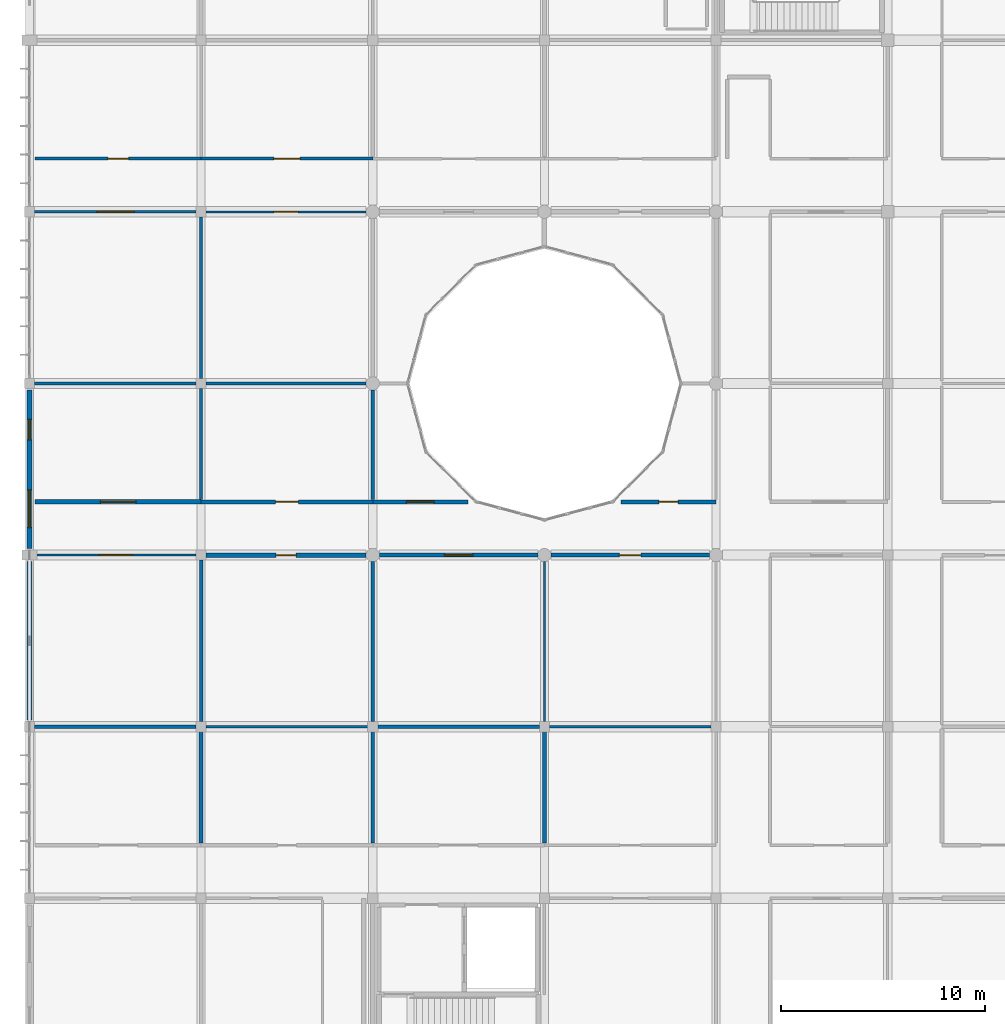
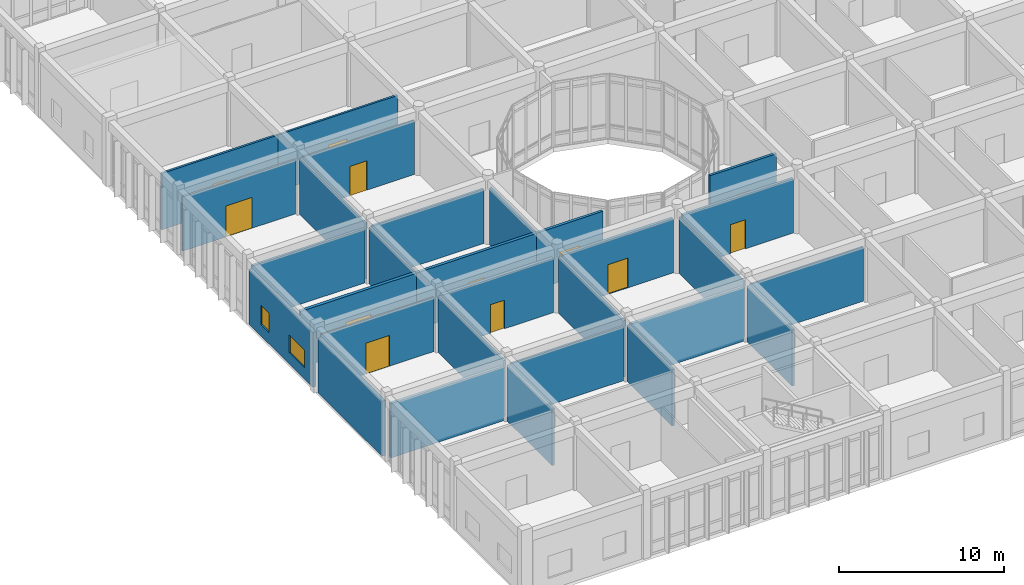
# One storey, part 96 of 134: 29 walls, 12 doors, 2 windows, 14 openings.
"""IFC4 building model written with IfcOpenShell, lengths in metres."""

import ifcopenshell
import ifcopenshell.guid

model = None  # the IFC model being written
_history = None  # IfcOwnerHistory: only IFC2X3 demands one
_inside = {}  # id of a spatial element -> (the spatial element, [elements in it])
_under = {}  # id of a project, library or spatial element -> (it, [spatial elements below it])
_declared = {}  # id of a project -> (the project, [libraries it declares])
_typed = {}  # id of a type object -> (the type object, [elements of that type])
_made_of = {}  # id of a material, layer set ... -> (it, [elements and type objects made of it])


def new_model(schema):
    """Start an empty IFC model of exactly this schema.

    Asked for "IFC4X3", IfcOpenShell would pick the latest addendum, in which some entities
    have other attributes; the version numbers below select the first issue.
    IFC2X3 requires an IfcOwnerHistory on every rooted entity: one is made here for all.
    """
    global model, _history
    if schema == "IFC4X3":
        model = ifcopenshell.file(schema_version=(4, 3, 0, 0))
    else:
        model = ifcopenshell.file(schema=schema)
    _inside.clear()
    _under.clear()
    _declared.clear()
    _typed.clear()
    _made_of.clear()
    _history = None
    if model.schema == "IFC2X3":
        org = make("IfcOrganization", Name="unknown")
        user = make(
            "IfcPersonAndOrganization",
            ThePerson=make("IfcPerson", FamilyName="unknown"),
            TheOrganization=org,
        )
        app = make(
            "IfcApplication",
            ApplicationDeveloper=org,
            Version="unknown",
            ApplicationFullName="unknown",
            ApplicationIdentifier="unknown",
        )
        _history = make(
            "IfcOwnerHistory",
            OwningUser=user,
            OwningApplication=app,
            ChangeAction="ADDED",
            CreationDate=0,
        )
    return model


def make(cls, **values):
    """One entity of the class cls with the attributes given. An attribute that is None is left unset."""
    return model.create_entity(
        cls, **{name: value for name, value in values.items() if value is not None}
    )


def rooted(cls, **values):
    """An entity with a GlobalId (a new one), such as an element, a storey or a relation."""
    return make(cls, GlobalId=ifcopenshell.guid.new(), OwnerHistory=_history, **values)


def si_unit(unit_type, name, prefix=None):
    """IfcSIUnit, for example si_unit("LENGTHUNIT", "METRE", prefix="MILLI")."""
    return make("IfcSIUnit", UnitType=unit_type, Prefix=prefix, Name=name)


def assignment(units):
    """IfcUnitAssignment: the units of a project."""
    return None if units is None else make("IfcUnitAssignment", Units=units)


def point(xyz):
    """IfcCartesianPoint."""
    return None if xyz is None else make("IfcCartesianPoint", Coordinates=xyz)


def direction(xyz):
    """IfcDirection."""
    return None if xyz is None else make("IfcDirection", DirectionRatios=xyz)


def frame(location, z_axis=None, x_axis=None):
    """IfcAxis2Placement3D, a coordinate frame: its origin and axes. An axis left out is left unset."""
    return make(
        "IfcAxis2Placement3D",
        Location=point(location),
        Axis=direction(z_axis),
        RefDirection=direction(x_axis),
    )


def frame_2d(location, x_axis=None):
    """IfcAxis2Placement2D, a coordinate frame in the plane: its origin and x axis."""
    return make(
        "IfcAxis2Placement2D", Location=point(location), RefDirection=direction(x_axis)
    )


def origin():
    """The frame at (0, 0, 0) with its axes left unset."""
    return frame((0.0, 0.0, 0.0))


def place(relative_to, where):
    """IfcLocalPlacement: puts the frame where relative to a parent placement (None: the world)."""
    return make(
        "IfcLocalPlacement", PlacementRelTo=relative_to, RelativePlacement=where
    )


def context(
    kind, dimensions, precision=None, world=None, true_north=None, identifier=None
):
    """IfcGeometricRepresentationContext, for example the 3D "Model" context."""
    return make(
        "IfcGeometricRepresentationContext",
        ContextIdentifier=identifier,
        ContextType=kind,
        CoordinateSpaceDimension=dimensions,
        Precision=precision,
        WorldCoordinateSystem=world,
        TrueNorth=true_north,
    )


def subcontext(parent, identifier, kind, view, scale=None):
    """IfcGeometricRepresentationSubContext, for example "Body" below "Model"."""
    return make(
        "IfcGeometricRepresentationSubContext",
        ContextIdentifier=identifier,
        ContextType=kind,
        ParentContext=parent,
        TargetScale=scale,
        TargetView=view,
    )


def project(units=None, contexts=None):
    """IfcProject with its units and contexts."""
    return rooted(
        "IfcProject",
        Name="project",
        RepresentationContexts=contexts,
        UnitsInContext=assignment(units),
    )


def spatial(cls, under=None, at=None, **own):
    """A site, building, storey or space (cls), placed at a placement, below another one or the project."""
    s = rooted(cls, ObjectPlacement=at, **own)
    if under is not None:
        _under.setdefault(under.id(), (under, []))[1].append(s)
    return s


def profile(cls, at=None, kind="AREA", **sizes):
    """A parametric profile (cls). Its sizes go by their IFC names, for example OverallWidth=200.0."""
    return make(cls, ProfileType=kind, Position=at, **sizes)


def rectangle(**sizes):
    """IfcRectangleProfileDef."""
    return profile("IfcRectangleProfileDef", **sizes)


def extrude(swept, where, along, depth):
    """IfcExtrudedAreaSolid: the profile swept, set in the frame where, extruded along a direction by depth."""
    return make(
        "IfcExtrudedAreaSolid",
        SweptArea=swept,
        Position=where,
        ExtrudedDirection=direction(along),
        Depth=depth,
    )


def shape(context_of_items, identifier, shape_type, items):
    """IfcShapeRepresentation: the items that make up one representation, for example the "Body"."""
    return make(
        "IfcShapeRepresentation",
        ContextOfItems=context_of_items,
        RepresentationIdentifier=identifier,
        RepresentationType=shape_type,
        Items=items,
    )


def material(Name=None, Category=None):
    """IfcMaterial."""
    return make("IfcMaterial", Name=Name, Category=Category)


def layer(
    of_material, thickness, ventilated=None, Name=None, Category=None, Priority=None
):
    """IfcMaterialLayer: one layer of a wall or slab, of a material (None: an air gap)."""
    return make(
        "IfcMaterialLayer",
        Material=of_material,
        LayerThickness=thickness,
        IsVentilated=ventilated,
        Name=Name,
        Category=Category,
        Priority=Priority,
    )


def layer_set(layers, Name=None):
    """IfcMaterialLayerSet."""
    return make("IfcMaterialLayerSet", MaterialLayers=layers, LayerSetName=Name)


def made_of(thing, what):
    """Note that an element or type object is made of a material, layer set ...; save() writes the relation."""
    if what is not None:
        _made_of.setdefault(what.id(), (what, []))[1].append(thing)
    return thing


def type_object(cls, material=None, **own):
    """A type object (cls), such as IfcWallType, which elements share."""
    return made_of(rooted(cls, **own), material)


def element(
    cls,
    number,
    at=None,
    inside=None,
    cuts=None,
    type_object=None,
    material=None,
    context=None,
    identifier="Body",
    shape_type=None,
    held_by="IfcProductDefinitionShape",
    body=None,
    shapes=None,
    **own,
):
    """One element of the class cls, such as IfcWall. Its Tag is "e" and its number.

    at: its placement. inside: the storey or other place that contains it. cuts: it is an
    opening in that element (IfcRelVoidsElement). A single representation is given by context,
    identifier, shape_type and body (its items); several are given by shapes. held_by: the class
    of the entity that holds the representations. save() writes the other relations.
    """
    e = rooted(cls, Tag="e%d" % number, ObjectPlacement=at, **own)
    if body is not None:
        shapes = [shape(context, identifier, shape_type, body)]
    if shapes is not None:
        e.Representation = make(held_by, Representations=shapes)
    if inside is not None:
        _inside.setdefault(inside.id(), (inside, []))[1].append(e)
    if cuts is not None:
        rooted(
            "IfcRelVoidsElement", RelatingBuildingElement=cuts, RelatedOpeningElement=e
        )
    if type_object is not None:
        _typed.setdefault(type_object.id(), (type_object, []))[1].append(e)
    return made_of(e, material)


def fill(opening, filler):
    """IfcRelFillsElement: the door or window that sits in an opening."""
    return rooted(
        "IfcRelFillsElement",
        RelatingOpeningElement=opening,
        RelatedBuildingElement=filler,
    )


def aggregate(whole, parts):
    """IfcRelAggregates: a whole, such as a stair, and the parts it consists of."""
    return rooted("IfcRelAggregates", RelatingObject=whole, RelatedObjects=parts)


def save(model, path):
    """Write the relations noted so far, then the file.

    IfcRelAggregates (storeys below a building ...), IfcRelContainedInSpatialStructure (elements
    in a storey), IfcRelDefinesByType, IfcRelAssociatesMaterial and IfcRelDeclares: one each for
    every whole, place, type object, material and project.
    """
    for whole, parts in _under.values():
        aggregate(whole, parts)
    for where, things in _inside.values():
        rooted(
            "IfcRelContainedInSpatialStructure",
            RelatedElements=things,
            RelatingStructure=where,
        )
    for kind, things in _typed.values():
        rooted("IfcRelDefinesByType", RelatedObjects=things, RelatingType=kind)
    for what, things in _made_of.values():
        rooted("IfcRelAssociatesMaterial", RelatedObjects=things, RelatingMaterial=what)
    for by, libraries in _declared.values():
        rooted("IfcRelDeclares", RelatingContext=by, RelatedDefinitions=libraries)
    model.write(path)


model = new_model("IFC4")

# Units and contexts
model_context = context("Model", 3, precision=1e-05, world=origin(), true_north=direction((0.0, 1.0)))
body_context = subcontext(model_context, "Body", "Model", "MODEL_VIEW")
ifc_project = project(units=[si_unit("LENGTHUNIT", "METRE"), si_unit("AREAUNIT", "SQUARE_METRE"), si_unit("VOLUMEUNIT", "CUBIC_METRE"), si_unit("PLANEANGLEUNIT", "RADIAN"), si_unit("MASSUNIT", "GRAM", prefix="KILO")], contexts=[model_context])

# Site, building, storey
site_placement = place(None, origin())
site = spatial("IfcSite", under=ifc_project, at=site_placement, CompositionType="ELEMENT")
building_placement = place(site_placement, origin())
building = spatial("IfcBuilding", under=site, at=building_placement, Name="Bramfleet General Hospital", CompositionType="ELEMENT")
storey_placement = place(building_placement, frame((0.0, 0.0, 9.300048828125)))
storey = spatial("IfcBuildingStorey", under=building, at=storey_placement, Name="L02", CompositionType="ELEMENT", Elevation=9.300048828125)

# Wall
ifc_material_1 = material(Name="Precast concrete C40/50", Category="concrete")
ifc_layer_1 = layer(ifc_material_1, 0.25, Name="WT-EW-08")
ifc_layer_set_1 = layer_set([ifc_layer_1], Name="Precast concrete C40/50")
wall_type_1 = type_object("IfcWallType", Name="WT-EW-08", PredefinedType="SOLIDWALL", material=ifc_layer_set_1)
wall_1_placement = place(storey_placement, frame((0.0, 67.52490234375, 0.0), z_axis=(0.0, 0.0, 1.0), x_axis=(0.0, 1.0, 0.0)))
element("IfcWall", 1, at=wall_1_placement, inside=storey, type_object=wall_type_1, Name="L02 Exterior Wall 195", PredefinedType="SOLIDWALL", context=body_context, shape_type="SweptSolid", body=[
    extrude(rectangle(XDim=7.75, YDim=0.25, at=frame_2d((3.875, 0.0))), origin(), (0.0, 0.0, 1.0), 4.070068359375),
])

# Wall, openings, windows
ifc_layer_2 = layer(ifc_material_1, 0.235107421875, Name="WT-EW-09")
ifc_layer_set_2 = layer_set([ifc_layer_2], Name="Precast concrete C40/50")
wall_type_2 = type_object("IfcWallType", Name="WT-EW-09", PredefinedType="SOLIDWALL", material=ifc_layer_set_2)
wall_2_placement = place(storey_placement, frame((0.0, 75.925048828125, 0.0), z_axis=(0.0, 0.0, 1.0), x_axis=(0.0, 1.0, 0.0)))
wall_2 = element("IfcWall", 2, at=wall_2_placement, inside=storey, type_object=wall_type_2, Name="L02 Exterior Wall 196", PredefinedType="SOLIDWALL", context=body_context, shape_type="SweptSolid", body=[
    extrude(rectangle(XDim=7.75, YDim=0.235107421875, at=frame_2d((3.875, 0.0))), origin(), (0.0, 0.0, 1.0), 4.070068359375),
])
opening_1_placement = place(wall_2_placement, frame((1.012451171875, 0.0, 0.85009765625)))
opening_1 = element("IfcOpeningElement", 3, at=opening_1_placement, cuts=wall_2, Name="Opening W-10", PredefinedType="OPENING", context=body_context, shape_type="SweptSolid", body=[
    extrude(rectangle(XDim=1.85009765625, YDim=1.300048828125, at=frame_2d((0.925048828125, 0.64990234375))), frame((0.0, 0.12744140625, 0.0), z_axis=(0.0, -1.0, 0.0), x_axis=(1.0, 0.0, 0.0)), (0.0, 0.0, 1.0), 0.255126953125),
])
opening_2_placement = place(wall_2_placement, frame((5.3125, 0.0, 0.85009765625)))
opening_2 = element("IfcOpeningElement", 4, at=opening_2_placement, cuts=wall_2, Name="Opening W-11", PredefinedType="OPENING", context=body_context, shape_type="SweptSolid", body=[
    extrude(rectangle(XDim=1.0, YDim=1.419921875, at=frame_2d((0.5, 0.7099609375))), frame((0.0, 0.12744140625, 0.0), z_axis=(0.0, -1.0, 0.0), x_axis=(1.0, 0.0, 0.0)), (0.0, 0.0, 1.0), 0.255126953125),
])
ifc_material_2 = material(Name="Anodised aluminium and low-E triple glazing", Category="aluminium")
window_type_1 = type_object("IfcWindowType", Name="WIN-W-10", PartitioningType="SINGLE_PANEL", PredefinedType="WINDOW", material=ifc_material_2)
window_1_placement = place(opening_1_placement, origin())
window_1 = element("IfcWindow", 5, at=window_1_placement, inside=storey, type_object=window_type_1, Name="L02 Facade Window WIN-L02-196-1", OverallHeight=1.300048828125, OverallWidth=1.85009765625, PartitioningType="SINGLE_PANEL", PredefinedType="WINDOW", context=body_context, shape_type="SweptSolid", body=[
    extrude(rectangle(XDim=1.85009765625, YDim=1.300048828125, at=frame_2d((0.925048828125, 0.64990234375))), frame((0.0, 0.030029296875, 0.0), z_axis=(0.0, -1.0, 0.0), x_axis=(1.0, 0.0, 0.0)), (0.0, 0.0, 1.0), 0.06005859375),
])
fill(opening_1, window_1)
window_type_2 = type_object("IfcWindowType", Name="WIN-W-11", PartitioningType="SINGLE_PANEL", PredefinedType="WINDOW", material=ifc_material_2)
window_2_placement = place(opening_2_placement, origin())
window_2 = element("IfcWindow", 6, at=window_2_placement, inside=storey, type_object=window_type_2, Name="L02 Facade Window WIN-L02-196-2", OverallHeight=1.419921875, OverallWidth=1.0, PartitioningType="SINGLE_PANEL", PredefinedType="WINDOW", context=body_context, shape_type="SweptSolid", body=[
    extrude(rectangle(XDim=1.0, YDim=1.419921875, at=frame_2d((0.5, 0.7099609375))), frame((0.0, 0.030029296875, 0.0), z_axis=(0.0, -1.0, 0.0), x_axis=(1.0, 0.0, 0.0)), (0.0, 0.0, 1.0), 0.06005859375),
])
fill(opening_2, window_2)

# Wall, opening, door
ifc_material_3 = material(Name="Concrete C35/45", Category="concrete")
ifc_layer_3 = layer(ifc_material_3, 0.219970703125, Name="WT-IW-01")
ifc_layer_set_3 = layer_set([ifc_layer_3], Name="Concrete C35/45")
wall_type_3 = type_object("IfcWallType", Name="WT-IW-01", PredefinedType="PARTITIONING", material=ifc_layer_set_3)
wall_3_placement = place(storey_placement, frame((8.64501953125, 75.60009765625, 0.0), z_axis=(0.0, 0.0, 1.0), x_axis=(1.0, 0.0, 0.0)))
wall_3 = element("IfcWall", 7, at=wall_3_placement, inside=storey, type_object=wall_type_3, Name="L02 Interior Partition IW-L02-2017", PredefinedType="PARTITIONING", context=body_context, shape_type="SweptSolid", body=[
    extrude(rectangle(XDim=7.8349609375, YDim=0.219970703125, at=frame_2d((3.91748046875, 0.0))), origin(), (0.0, 0.0, 1.0), 4.02001953125),
])
opening_3_placement = place(wall_3_placement, frame((3.427490234375, 0.0, 0.0)))
opening_3 = element("IfcOpeningElement", 8, at=opening_3_placement, cuts=wall_3, Name="Opening D0858", PredefinedType="OPENING", context=body_context, shape_type="SweptSolid", body=[
    extrude(rectangle(XDim=0.97998046875, YDim=2.1201171875, at=frame_2d((0.489990234375, 1.06005859375))), frame((0.0, 0.119873046875, 0.0), z_axis=(0.0, -1.0, 0.0), x_axis=(1.0, 0.0, 0.0)), (0.0, 0.0, 1.0), 0.239990234375),
])
ifc_material_4 = material(Name="Stainless steel and acoustic timber leaf", Category="steel")
door_type_1 = type_object("IfcDoorType", Name="DR-D-26", OperationType="NOTDEFINED", PredefinedType="DOOR", material=ifc_material_4)
door_1_placement = place(opening_3_placement, origin())
door_1 = element("IfcDoor", 9, at=door_1_placement, inside=storey, type_object=door_type_1, Name="Post-Anaesthesia Recovery Ward Bay L02-0108 Door D0858", OperationType="SINGLE_SWING_LEFT", OverallHeight=2.1201171875, OverallWidth=0.97998046875, PredefinedType="DOOR", context=body_context, shape_type="SweptSolid", body=[
    extrude(rectangle(XDim=0.97998046875, YDim=2.1201171875, at=frame_2d((0.489990234375, 1.06005859375))), frame((0.0, 0.02490234375, 0.0), z_axis=(0.0, -1.0, 0.0), x_axis=(1.0, 0.0, 0.0)), (0.0, 0.0, 1.0), 0.050048828125),
])
fill(opening_3, door_1)

wall_4_placement = place(storey_placement, frame((0.280029296875, 78.199951171875, 0.0), z_axis=(0.0, 0.0, 1.0), x_axis=(1.0, 0.0, 0.0)))
wall_4 = element("IfcWall", 10, at=wall_4_placement, inside=storey, type_object=wall_type_3, Name="L02 Interior Partition IW-L02-2029", PredefinedType="PARTITIONING", context=body_context, shape_type="SweptSolid", body=[
    extrude(rectangle(XDim=8.119873046875, YDim=0.219970703125, at=frame_2d((4.06005859375, 0.0))), origin(), (0.0, 0.0, 1.0), 4.169921875),
])
opening_4_placement = place(wall_4_placement, frame((3.18994140625, 0.0, 0.0)))
opening_4 = element("IfcOpeningElement", 11, at=opening_4_placement, cuts=wall_4, Name="Opening D0851", PredefinedType="OPENING", context=body_context, shape_type="SweptSolid", body=[
    extrude(rectangle(XDim=1.739990234375, YDim=2.239990234375, at=frame_2d((0.8701171875, 1.1201171875))), frame((0.0, 0.119873046875, 0.0), z_axis=(0.0, -1.0, 0.0), x_axis=(1.0, 0.0, 0.0)), (0.0, 0.0, 1.0), 0.239990234375),
])
door_type_2 = type_object("IfcDoorType", Name="DR-D-19", OperationType="NOTDEFINED", PredefinedType="DOOR", material=ifc_material_4)
door_2_placement = place(opening_4_placement, origin())
door_2 = element("IfcDoor", 12, at=door_2_placement, inside=storey, type_object=door_type_2, Name="Post-Anaesthesia Recovery Ward Bay L02-0009 Door D0851", OperationType="DOUBLE_SWING_RIGHT", OverallHeight=2.239990234375, OverallWidth=1.739990234375, PredefinedType="DOOR", context=body_context, shape_type="SweptSolid", body=[
    extrude(rectangle(XDim=1.739990234375, YDim=2.239990234375, at=frame_2d((0.8701171875, 1.1201171875))), frame((0.0, 0.02490234375, 0.0), z_axis=(0.0, -1.0, 0.0), x_axis=(1.0, 0.0, 0.0)), (0.0, 0.0, 1.0), 0.050048828125),
])
fill(opening_4, door_2)

ifc_layer_4 = layer(ifc_material_3, 0.205078125, Name="WT-IW-02")
ifc_layer_set_4 = layer_set([ifc_layer_4], Name="Concrete C35/45")
wall_type_4 = type_object("IfcWallType", Name="WT-IW-02", PredefinedType="PARTITIONING", material=ifc_layer_set_4)
wall_5_placement = place(storey_placement, frame((17.1201171875, 75.60009765625, 0.0), z_axis=(0.0, 0.0, 1.0), x_axis=(1.0, 0.0, 0.0)))
wall_5 = element("IfcWall", 13, at=wall_5_placement, inside=storey, type_object=wall_type_4, Name="L02 Interior Partition IW-L02-2018", PredefinedType="PARTITIONING", context=body_context, shape_type="SweptSolid", body=[
    extrude(rectangle(XDim=7.759765625, YDim=0.205078125, at=frame_2d((3.8798828125, 0.0))), origin(), (0.0, 0.0, 1.0), 4.02001953125),
])
opening_5_placement = place(wall_5_placement, frame((3.179931640625, 0.0, 0.0)))
opening_5 = element("IfcOpeningElement", 14, at=opening_5_placement, cuts=wall_5, Name="Opening D0865", PredefinedType="OPENING", context=body_context, shape_type="SweptSolid", body=[
    extrude(rectangle(XDim=1.39990234375, YDim=2.199951171875, at=frame_2d((0.699951171875, 1.10009765625))), frame((0.0, 0.112548828125, 0.0), z_axis=(0.0, -1.0, 0.0), x_axis=(1.0, 0.0, 0.0)), (0.0, 0.0, 1.0), 0.22509765625),
])
door_type_3 = type_object("IfcDoorType", Name="DR-D-01", OperationType="NOTDEFINED", PredefinedType="DOOR", material=ifc_material_4)
door_3_placement = place(opening_5_placement, origin())
door_3 = element("IfcDoor", 15, at=door_3_placement, inside=storey, type_object=door_type_3, Name="Post-Anaesthesia Recovery Ward Bay L02-0208 Door D0865", OperationType="SINGLE_SWING_RIGHT", OverallHeight=2.199951171875, OverallWidth=1.39990234375, PredefinedType="DOOR", context=body_context, shape_type="SweptSolid", body=[
    extrude(rectangle(XDim=1.39990234375, YDim=2.199951171875, at=frame_2d((0.699951171875, 1.10009765625))), frame((0.0, 0.02490234375, 0.0), z_axis=(0.0, -1.0, 0.0), x_axis=(1.0, 0.0, 0.0)), (0.0, 0.0, 1.0), 0.050048828125),
])
fill(opening_5, door_3)

wall_6_placement = place(storey_placement, frame((8.39990234375, 78.199951171875, 0.0), z_axis=(0.0, 0.0, 1.0), x_axis=(1.0, 0.0, 0.0)))
wall_6 = element("IfcWall", 16, at=wall_6_placement, inside=storey, type_object=wall_type_4, Name="L02 Interior Partition IW-L02-2030", PredefinedType="PARTITIONING", context=body_context, shape_type="SweptSolid", body=[
    extrude(rectangle(XDim=8.400146484375, YDim=0.205078125, at=frame_2d((4.2001953125, 0.0))), origin(), (0.0, 0.0, 1.0), 4.169921875),
])
opening_6_placement = place(wall_6_placement, frame((3.639892578125, 0.0, 0.0)))
opening_6 = element("IfcOpeningElement", 17, at=opening_6_placement, cuts=wall_6, Name="Opening D0859", PredefinedType="OPENING", context=body_context, shape_type="SweptSolid", body=[
    extrude(rectangle(XDim=1.1201171875, YDim=2.179931640625, at=frame_2d((0.56005859375, 1.08984375))), frame((0.0, 0.112548828125, 0.0), z_axis=(0.0, -1.0, 0.0), x_axis=(1.0, 0.0, 0.0)), (0.0, 0.0, 1.0), 0.22509765625),
])
door_type_4 = type_object("IfcDoorType", Name="DR-D-27", OperationType="NOTDEFINED", PredefinedType="DOOR", material=ifc_material_4)
door_4_placement = place(opening_6_placement, origin())
door_4 = element("IfcDoor", 18, at=door_4_placement, inside=storey, type_object=door_type_4, Name="Post-Anaesthesia Recovery Ward Bay L02-0109 Door D0859", OperationType="SINGLE_SWING_RIGHT", OverallHeight=2.179931640625, OverallWidth=1.1201171875, PredefinedType="DOOR", context=body_context, shape_type="SweptSolid", body=[
    extrude(rectangle(XDim=1.1201171875, YDim=2.179931640625, at=frame_2d((0.56005859375, 1.08984375))), frame((0.0, 0.02490234375, 0.0), z_axis=(0.0, -1.0, 0.0), x_axis=(1.0, 0.0, 0.0)), (0.0, 0.0, 1.0), 0.050048828125),
])
fill(opening_6, door_4)

# Walls
ifc_layer_5 = layer(ifc_material_3, 0.18994140625, Name="WT-IW-03")
ifc_layer_set_5 = layer_set([ifc_layer_5], Name="Concrete C35/45")
wall_type_5 = type_object("IfcWallType", Name="WT-IW-03", PredefinedType="PARTITIONING", material=ifc_layer_set_5)
wall_7_placement = place(storey_placement, frame((0.2451171875, 67.199951171875, 0.0), z_axis=(0.0, 0.0, 1.0), x_axis=(1.0, 0.0, 0.0)))
element("IfcWall", 19, at=wall_7_placement, inside=storey, type_object=wall_type_5, Name="L02 Interior Partition IW-L02-2000", PredefinedType="PARTITIONING", context=body_context, shape_type="SweptSolid", body=[
    extrude(rectangle(XDim=7.909912109375, YDim=0.18994140625, at=frame_2d((3.955078125, 0.0))), origin(), (0.0, 0.0, 1.0), 4.02001953125),
])
wall_8_placement = place(storey_placement, frame((17.044921875, 67.199951171875, 0.0), z_axis=(0.0, 0.0, 1.0), x_axis=(1.0, 0.0, 0.0)))
element("IfcWall", 20, at=wall_8_placement, inside=storey, type_object=wall_type_5, Name="L02 Interior Partition IW-L02-2002", PredefinedType="PARTITIONING", context=body_context, shape_type="SweptSolid", body=[
    extrude(rectangle(XDim=7.91015625, YDim=0.18994140625, at=frame_2d((3.955078125, 0.0))), origin(), (0.0, 0.0, 1.0), 4.02001953125),
])

# Wall, opening, door
wall_9_placement = place(storey_placement, frame((25.52001953125, 75.60009765625, 0.0), z_axis=(0.0, 0.0, 1.0), x_axis=(1.0, 0.0, 0.0)))
wall_9 = element("IfcWall", 21, at=wall_9_placement, inside=storey, type_object=wall_type_5, Name="L02 Interior Partition IW-L02-2019", PredefinedType="PARTITIONING", context=body_context, shape_type="SweptSolid", body=[
    extrude(rectangle(XDim=7.760009765625, YDim=0.18994140625, at=frame_2d((3.8798828125, 0.0))), origin(), (0.0, 0.0, 1.0), 4.02001953125),
])
opening_7_placement = place(wall_9_placement, frame((3.35498046875, 0.0, 0.0)))
opening_7 = element("IfcOpeningElement", 22, at=opening_7_placement, cuts=wall_9, Name="Opening D0873", PredefinedType="OPENING", context=body_context, shape_type="SweptSolid", body=[
    extrude(rectangle(XDim=1.050048828125, YDim=2.14990234375, at=frame_2d((0.52490234375, 1.074951171875))), frame((0.0, 0.10498046875, 0.0), z_axis=(0.0, -1.0, 0.0), x_axis=(1.0, 0.0, 0.0)), (0.0, 0.0, 1.0), 0.2099609375),
])
door_type_5 = type_object("IfcDoorType", Name="DR-D-09", OperationType="NOTDEFINED", PredefinedType="DOOR", material=ifc_material_4)
door_5_placement = place(opening_7_placement, origin())
door_5 = element("IfcDoor", 23, at=door_5_placement, inside=storey, type_object=door_type_5, Name="Post-Anaesthesia Recovery Ward Bay L02-0308 Door D0873", OperationType="SINGLE_SWING_RIGHT", OverallHeight=2.14990234375, OverallWidth=1.050048828125, PredefinedType="DOOR", context=body_context, shape_type="SweptSolid", body=[
    extrude(rectangle(XDim=1.050048828125, YDim=2.14990234375, at=frame_2d((0.52490234375, 1.074951171875))), frame((0.0, 0.02490234375, 0.0), z_axis=(0.0, -1.0, 0.0), x_axis=(1.0, 0.0, 0.0)), (0.0, 0.0, 1.0), 0.050048828125),
])
fill(opening_7, door_5)

wall_10_placement = place(storey_placement, frame((16.800048828125, 78.199951171875, 0.0), z_axis=(0.0, 0.0, 1.0), x_axis=(1.0, 0.0, 0.0)))
wall_10 = element("IfcWall", 24, at=wall_10_placement, inside=storey, type_object=wall_type_5, Name="L02 Interior Partition IW-L02-2031", PredefinedType="PARTITIONING", context=body_context, shape_type="SweptSolid", body=[
    extrude(rectangle(XDim=4.65185546875, YDim=0.18994140625, at=frame_2d((2.325927734375, 0.0))), origin(), (0.0, 0.0, 1.0), 4.169921875),
])
opening_8_placement = place(wall_10_placement, frame((1.65087890625, 0.0, 0.0)))
opening_8 = element("IfcOpeningElement", 25, at=opening_8_placement, cuts=wall_10, Name="Opening D0866", PredefinedType="OPENING", context=body_context, shape_type="SweptSolid", body=[
    extrude(rectangle(XDim=1.35009765625, YDim=2.199951171875, at=frame_2d((0.675048828125, 1.10009765625))), frame((0.0, 0.10498046875, 0.0), z_axis=(0.0, -1.0, 0.0), x_axis=(1.0, 0.0, 0.0)), (0.0, 0.0, 1.0), 0.2099609375),
])
door_type_6 = type_object("IfcDoorType", Name="DR-D-02", OperationType="NOTDEFINED", PredefinedType="DOOR", material=ifc_material_4)
door_6_placement = place(opening_8_placement, origin())
door_6 = element("IfcDoor", 26, at=door_6_placement, inside=storey, type_object=door_type_6, Name="Courtyard Waiting Lounge L02-0209 Door D0866", OperationType="SINGLE_SWING_LEFT", OverallHeight=2.199951171875, OverallWidth=1.35009765625, PredefinedType="DOOR", context=body_context, shape_type="SweptSolid", body=[
    extrude(rectangle(XDim=1.35009765625, YDim=2.199951171875, at=frame_2d((0.675048828125, 1.10009765625))), frame((0.0, 0.02490234375, 0.0), z_axis=(0.0, -1.0, 0.0), x_axis=(1.0, 0.0, 0.0)), (0.0, 0.0, 1.0), 0.050048828125),
])
fill(opening_8, door_6)

# Walls
for number, where, z_axis, x_axis, name in (
    (27, (8.39990234375, 61.514892578125, 0.0), (0.0, 0.0, 1.0), (0.0, 1.0, 0.0), "L02 Interior Partition IW-L02-2201"),
    (28, (16.800048828125, 61.514892578125, 0.0), (0.0, 0.0, 1.0), (0.0, 1.0, 0.0), "L02 Interior Partition IW-L02-2211"),
    (29, (25.199951171875, 61.514892578125, 0.0), (0.0, 0.0, 1.0), (0.0, 1.0, 0.0), "L02 Interior Partition IW-L02-2219"),
):
    element("IfcWall", number, at=place(storey_placement, frame(where, z_axis=z_axis, x_axis=x_axis)), inside=storey, type_object=wall_type_5, Name=name, PredefinedType="PARTITIONING", context=body_context, shape_type="SweptSolid", body=[
        extrude(rectangle(XDim=5.440185546875, YDim=0.18994140625, at=frame_2d((2.72021484375, 0.0))), origin(), (0.0, 0.0, 1.0), 4.169921875),
    ])

# Wall, opening, door
ifc_layer_6 = layer(ifc_material_3, 0.179931640625, Name="WT-IW-04")
ifc_layer_set_6 = layer_set([ifc_layer_6], Name="Concrete C35/45")
wall_type_6 = type_object("IfcWallType", Name="WT-IW-04", PredefinedType="PARTITIONING", material=ifc_layer_set_6)
wall_11_placement = place(storey_placement, frame((28.947998046875, 78.199951171875, 0.0), z_axis=(0.0, 0.0, 1.0), x_axis=(1.0, 0.0, 0.0)))
wall_11 = element("IfcWall", 30, at=wall_11_placement, inside=storey, type_object=wall_type_6, Name="L02 Interior Partition IW-L02-2032", PredefinedType="PARTITIONING", context=body_context, shape_type="SweptSolid", body=[
    extrude(rectangle(XDim=4.652099609375, YDim=0.179931640625, at=frame_2d((2.326171875, 0.0))), origin(), (0.0, 0.0, 1.0), 4.169921875),
])
opening_9_placement = place(wall_11_placement, frame((1.85107421875, 0.0, 0.0)))
opening_9 = element("IfcOpeningElement", 31, at=opening_9_placement, cuts=wall_11, Name="Opening D0874", PredefinedType="OPENING", context=body_context, shape_type="SweptSolid", body=[
    extrude(rectangle(XDim=0.949951171875, YDim=2.10009765625, at=frame_2d((0.47509765625, 1.050048828125))), frame((0.0, 0.099853515625, 0.0), z_axis=(0.0, -1.0, 0.0), x_axis=(1.0, 0.0, 0.0)), (0.0, 0.0, 1.0), 0.199951171875),
])
door_type_7 = type_object("IfcDoorType", Name="DR-D-10", OperationType="NOTDEFINED", PredefinedType="DOOR", material=ifc_material_4)
door_7_placement = place(opening_9_placement, origin())
door_7 = element("IfcDoor", 32, at=door_7_placement, inside=storey, type_object=door_type_7, Name="Courtyard Waiting Lounge L02-0309 Door D0874", OperationType="SINGLE_SWING_LEFT", OverallHeight=2.10009765625, OverallWidth=0.949951171875, PredefinedType="DOOR", context=body_context, shape_type="SweptSolid", body=[
    extrude(rectangle(XDim=0.949951171875, YDim=2.10009765625, at=frame_2d((0.47509765625, 1.050048828125))), frame((0.0, 0.02490234375, 0.0), z_axis=(0.0, -1.0, 0.0), x_axis=(1.0, 0.0, 0.0)), (0.0, 0.0, 1.0), 0.050048828125),
])
fill(opening_9, door_7)

# Walls
wall_12_placement = place(storey_placement, frame((16.800048828125, 67.445068359375, 0.0), z_axis=(0.0, 0.0, 1.0), x_axis=(0.0, 1.0, 0.0)))
element("IfcWall", 33, at=wall_12_placement, inside=storey, type_object=wall_type_6, Name="L02 Interior Partition IW-L02-2212", PredefinedType="PARTITIONING", context=body_context, shape_type="SweptSolid", body=[
    extrude(rectangle(XDim=7.8349609375, YDim=0.179931640625, at=frame_2d((3.91748046875, 0.0))), origin(), (0.0, 0.0, 1.0), 4.169921875),
])
ifc_material_5 = material(Name="Gypsum plasterboard on acoustic steel studs", Category="steel")
ifc_layer_7 = layer(ifc_material_5, 0.169921875, Name="WT-IW-05")
ifc_layer_set_7 = layer_set([ifc_layer_7], Name="Gypsum plasterboard on acoustic steel studs")
wall_type_7 = type_object("IfcWallType", Name="WT-IW-05", PredefinedType="PARTITIONING", material=ifc_layer_set_7)
wall_13_placement = place(storey_placement, frame((16.800048828125, 78.31494140625, 0.0), z_axis=(0.0, 0.0, 1.0), x_axis=(0.0, 1.0, 0.0)))
element("IfcWall", 34, at=wall_13_placement, inside=storey, type_object=wall_type_7, Name="L02 Interior Partition IW-L02-2213", PredefinedType="PARTITIONING", context=body_context, shape_type="SweptSolid", body=[
    extrude(rectangle(XDim=5.364990234375, YDim=0.169921875, at=frame_2d((2.6826171875, 0.0))), origin(), (0.0, 0.0, 1.0), 4.169921875),
])
ifc_layer_8 = layer(ifc_material_5, 0.159912109375, Name="WT-IW-06")
ifc_layer_set_8 = layer_set([ifc_layer_8], Name="Gypsum plasterboard on acoustic steel studs")
wall_type_8 = type_object("IfcWallType", Name="WT-IW-06", PredefinedType="PARTITIONING", material=ifc_layer_set_8)
wall_14_placement = place(storey_placement, frame((0.2451171875, 84.0, 0.0), z_axis=(0.0, 0.0, 1.0), x_axis=(1.0, 0.0, 0.0)))
element("IfcWall", 35, at=wall_14_placement, inside=storey, type_object=wall_type_8, Name="L02 Interior Partition IW-L02-2046", PredefinedType="PARTITIONING", context=body_context, shape_type="SweptSolid", body=[
    extrude(rectangle(XDim=7.909912109375, YDim=0.159912109375, at=frame_2d((3.955078125, 0.0))), origin(), (0.0, 0.0, 1.0), 4.02001953125),
])
wall_15_placement = place(storey_placement, frame((8.39990234375, 67.445068359375, 0.0), z_axis=(0.0, 0.0, 1.0), x_axis=(0.0, 1.0, 0.0)))
element("IfcWall", 36, at=wall_15_placement, inside=storey, type_object=wall_type_8, Name="L02 Interior Partition IW-L02-2202", PredefinedType="PARTITIONING", context=body_context, shape_type="SweptSolid", body=[
    extrude(rectangle(XDim=7.909912109375, YDim=0.159912109375, at=frame_2d((3.955078125, 0.0))), origin(), (0.0, 0.0, 1.0), 4.169921875),
])
ifc_layer_9 = layer(ifc_material_5, 0.14990234375, Name="WT-IW-07")
ifc_layer_set_9 = layer_set([ifc_layer_9], Name="Gypsum plasterboard on acoustic steel studs")
wall_type_9 = type_object("IfcWallType", Name="WT-IW-07", PredefinedType="PARTITIONING", material=ifc_layer_set_9)
wall_16_placement = place(storey_placement, frame((8.64501953125, 84.0, 0.0), z_axis=(0.0, 0.0, 1.0), x_axis=(1.0, 0.0, 0.0)))
element("IfcWall", 37, at=wall_16_placement, inside=storey, type_object=wall_type_9, Name="L02 Interior Partition IW-L02-2047", PredefinedType="PARTITIONING", context=body_context, shape_type="SweptSolid", body=[
    extrude(rectangle(XDim=7.8349609375, YDim=0.14990234375, at=frame_2d((3.91748046875, 0.0))), origin(), (0.0, 0.0, 1.0), 4.02001953125),
])

# Wall, opening, door
wall_17_placement = place(storey_placement, frame((0.280029296875, 95.0, 0.0), z_axis=(0.0, 0.0, 1.0), x_axis=(1.0, 0.0, 0.0)))
wall_17 = element("IfcWall", 38, at=wall_17_placement, inside=storey, type_object=wall_type_9, Name="L02 Interior Partition IW-L02-2095", PredefinedType="PARTITIONING", context=body_context, shape_type="SweptSolid", body=[
    extrude(rectangle(XDim=8.119873046875, YDim=0.14990234375, at=frame_2d((4.06005859375, 0.0))), origin(), (0.0, 0.0, 1.0), 4.169921875),
])
opening_10_placement = place(wall_17_placement, frame((3.550048828125, 0.0, 0.0)))
opening_10 = element("IfcOpeningElement", 39, at=opening_10_placement, cuts=wall_17, Name="Opening D0853", PredefinedType="OPENING", context=body_context, shape_type="SweptSolid", body=[
    extrude(rectangle(XDim=1.02001953125, YDim=2.1201171875, at=frame_2d((0.510009765625, 1.06005859375))), frame((0.0, 0.0849609375, 0.0), z_axis=(0.0, -1.0, 0.0), x_axis=(1.0, 0.0, 0.0)), (0.0, 0.0, 1.0), 0.169921875),
])
door_type_8 = type_object("IfcDoorType", Name="DR-D-21", OperationType="NOTDEFINED", PredefinedType="DOOR", material=ifc_material_4)
door_8_placement = place(opening_10_placement, origin())
door_8 = element("IfcDoor", 40, at=door_8_placement, inside=storey, type_object=door_type_8, Name="Post-Anaesthesia Recovery Ward Bay L02-0011 Door D0853", OperationType="SINGLE_SWING_RIGHT", OverallHeight=2.1201171875, OverallWidth=1.02001953125, PredefinedType="DOOR", context=body_context, shape_type="SweptSolid", body=[
    extrude(rectangle(XDim=1.02001953125, YDim=2.1201171875, at=frame_2d((0.510009765625, 1.06005859375))), frame((0.0, 0.02490234375, 0.0), z_axis=(0.0, -1.0, 0.0), x_axis=(1.0, 0.0, 0.0)), (0.0, 0.0, 1.0), 0.050048828125),
])
fill(opening_10, door_8)

# Wall
wall_18_placement = place(storey_placement, frame((8.39990234375, 78.31494140625, 0.0), z_axis=(0.0, 0.0, 1.0), x_axis=(0.0, 1.0, 0.0)))
element("IfcWall", 41, at=wall_18_placement, inside=storey, type_object=wall_type_9, Name="L02 Interior Partition IW-L02-2203", PredefinedType="PARTITIONING", context=body_context, shape_type="SweptSolid", body=[
    extrude(rectangle(XDim=5.43994140625, YDim=0.14990234375, at=frame_2d((2.719970703125, 0.0))), origin(), (0.0, 0.0, 1.0), 4.169921875),
])

# Wall, opening, door
ifc_layer_10 = layer(ifc_material_5, 0.139892578125, Name="WT-IW-08")
ifc_layer_set_10 = layer_set([ifc_layer_10], Name="Gypsum plasterboard on acoustic steel studs")
wall_type_10 = type_object("IfcWallType", Name="WT-IW-08", PredefinedType="PARTITIONING", material=ifc_layer_set_10)
wall_19_placement = place(storey_placement, frame((8.39990234375, 95.0, 0.0), z_axis=(0.0, 0.0, 1.0), x_axis=(1.0, 0.0, 0.0)))
wall_19 = element("IfcWall", 42, at=wall_19_placement, inside=storey, type_object=wall_type_10, Name="L02 Interior Partition IW-L02-2096", PredefinedType="PARTITIONING", context=body_context, shape_type="SweptSolid", body=[
    extrude(rectangle(XDim=8.400146484375, YDim=0.139892578125, at=frame_2d((4.2001953125, 0.0))), origin(), (0.0, 0.0, 1.0), 4.169921875),
])
opening_11_placement = place(wall_19_placement, frame((3.56005859375, 0.0, 0.0)))
opening_11 = element("IfcOpeningElement", 43, at=opening_11_placement, cuts=wall_19, Name="Opening D0861", PredefinedType="OPENING", context=body_context, shape_type="SweptSolid", body=[
    extrude(rectangle(XDim=1.280029296875, YDim=2.179931640625, at=frame_2d((0.64013671875, 1.08984375))), frame((0.0, 0.079833984375, 0.0), z_axis=(0.0, -1.0, 0.0), x_axis=(1.0, 0.0, 0.0)), (0.0, 0.0, 1.0), 0.159912109375),
])
door_type_9 = type_object("IfcDoorType", Name="DR-D-29", OperationType="NOTDEFINED", PredefinedType="DOOR", material=ifc_material_4)
door_9_placement = place(opening_11_placement, origin())
door_9 = element("IfcDoor", 44, at=door_9_placement, inside=storey, type_object=door_type_9, Name="Post-Anaesthesia Recovery Ward Bay L02-0111 Door D0861", OperationType="SINGLE_SWING_RIGHT", OverallHeight=2.179931640625, OverallWidth=1.280029296875, PredefinedType="DOOR", context=body_context, shape_type="SweptSolid", body=[
    extrude(rectangle(XDim=1.280029296875, YDim=2.179931640625, at=frame_2d((0.64013671875, 1.08984375))), frame((0.0, 0.02490234375, 0.0), z_axis=(0.0, -1.0, 0.0), x_axis=(1.0, 0.0, 0.0)), (0.0, 0.0, 1.0), 0.050048828125),
])
fill(opening_11, door_9)

# Walls
wall_20_placement = place(storey_placement, frame((8.39990234375, 84.2451171875, 0.0), z_axis=(0.0, 0.0, 1.0), x_axis=(0.0, 1.0, 0.0)))
element("IfcWall", 45, at=wall_20_placement, inside=storey, type_object=wall_type_10, Name="L02 Interior Partition IW-L02-2204", PredefinedType="PARTITIONING", context=body_context, shape_type="SweptSolid", body=[
    extrude(rectangle(XDim=7.909912109375, YDim=0.139892578125, at=frame_2d((3.955078125, 0.0))), origin(), (0.0, 0.0, 1.0), 4.169921875),
])
ifc_layer_11 = layer(ifc_material_5, 0.1298828125, Name="WT-IW-09")
ifc_layer_set_11 = layer_set([ifc_layer_11], Name="Gypsum plasterboard on acoustic steel studs")
wall_type_11 = type_object("IfcWallType", Name="WT-IW-09", PredefinedType="PARTITIONING", material=ifc_layer_set_11)
wall_21_placement = place(storey_placement, frame((8.64501953125, 67.199951171875, 0.0), z_axis=(0.0, 0.0, 1.0), x_axis=(1.0, 0.0, 0.0)))
element("IfcWall", 46, at=wall_21_placement, inside=storey, type_object=wall_type_11, Name="L02 Interior Partition IW-L02-2001", PredefinedType="PARTITIONING", context=body_context, shape_type="SweptSolid", body=[
    extrude(rectangle(XDim=7.909912109375, YDim=0.1298828125, at=frame_2d((3.955078125, 0.0))), origin(), (0.0, 0.0, 1.0), 4.02001953125),
])
ifc_layer_12 = layer(ifc_material_5, 0.112060546875, Name="WT-IW-11")
ifc_layer_set_12 = layer_set([ifc_layer_12], Name="Gypsum plasterboard on acoustic steel studs")
wall_type_12 = type_object("IfcWallType", Name="WT-IW-11", PredefinedType="PARTITIONING", material=ifc_layer_set_12)
wall_22_placement = place(storey_placement, frame((25.445068359375, 67.199951171875, 0.0), z_axis=(0.0, 0.0, 1.0), x_axis=(1.0, 0.0, 0.0)))
element("IfcWall", 47, at=wall_22_placement, inside=storey, type_object=wall_type_12, Name="L02 Interior Partition IW-L02-2003", PredefinedType="PARTITIONING", context=body_context, shape_type="SweptSolid", body=[
    extrude(rectangle(XDim=7.909912109375, YDim=0.112060546875, at=frame_2d((3.955078125, 0.0))), origin(), (0.0, 0.0, 1.0), 4.02001953125),
])

# Wall, opening, door
wall_23_placement = place(storey_placement, frame((0.2451171875, 92.39990234375, 0.0), z_axis=(0.0, 0.0, 1.0), x_axis=(1.0, 0.0, 0.0)))
wall_23 = element("IfcWall", 48, at=wall_23_placement, inside=storey, type_object=wall_type_12, Name="L02 Interior Partition IW-L02-2075", PredefinedType="PARTITIONING", context=body_context, shape_type="SweptSolid", body=[
    extrude(rectangle(XDim=7.909912109375, YDim=0.112060546875, at=frame_2d((3.955078125, 0.0))), origin(), (0.0, 0.0, 1.0), 4.02001953125),
])
opening_12_placement = place(wall_23_placement, frame((3.034912109375, 0.0, 0.0)))
opening_12 = element("IfcOpeningElement", 49, at=opening_12_placement, cuts=wall_23, Name="Opening D0852", PredefinedType="OPENING", context=body_context, shape_type="SweptSolid", body=[
    extrude(rectangle(XDim=1.840087890625, YDim=2.280029296875, at=frame_2d((0.919921875, 1.14013671875))), frame((0.0, 0.06591796875, 0.0), z_axis=(0.0, -1.0, 0.0), x_axis=(1.0, 0.0, 0.0)), (0.0, 0.0, 1.0), 0.132080078125),
])
door_type_10 = type_object("IfcDoorType", Name="DR-D-20", OperationType="NOTDEFINED", PredefinedType="DOOR", material=ifc_material_4)
door_10_placement = place(opening_12_placement, origin())
door_10 = element("IfcDoor", 50, at=door_10_placement, inside=storey, type_object=door_type_10, Name="Post-Anaesthesia Recovery Ward Bay L02-0010 Door D0852", OperationType="DOUBLE_SWING_LEFT", OverallHeight=2.280029296875, OverallWidth=1.840087890625, PredefinedType="DOOR", context=body_context, shape_type="SweptSolid", body=[
    extrude(rectangle(XDim=1.840087890625, YDim=2.280029296875, at=frame_2d((0.919921875, 1.14013671875))), frame((0.0, 0.02490234375, 0.0), z_axis=(0.0, -1.0, 0.0), x_axis=(1.0, 0.0, 0.0)), (0.0, 0.0, 1.0), 0.050048828125),
])
fill(opening_12, door_10)

ifc_layer_13 = layer(ifc_material_5, 0.10009765625, Name="WT-IW-12")
ifc_layer_set_13 = layer_set([ifc_layer_13], Name="Gypsum plasterboard on acoustic steel studs")
wall_type_13 = type_object("IfcWallType", Name="WT-IW-12", PredefinedType="PARTITIONING", material=ifc_layer_set_13)
wall_24_placement = place(storey_placement, frame((0.2451171875, 75.60009765625, 0.0), z_axis=(0.0, 0.0, 1.0), x_axis=(1.0, 0.0, 0.0)))
wall_24 = element("IfcWall", 51, at=wall_24_placement, inside=storey, type_object=wall_type_13, Name="L02 Interior Partition IW-L02-2016", PredefinedType="PARTITIONING", context=body_context, shape_type="SweptSolid", body=[
    extrude(rectangle(XDim=7.909912109375, YDim=0.10009765625, at=frame_2d((3.955078125, 0.0))), origin(), (0.0, 0.0, 1.0), 4.02001953125),
])
opening_13_placement = place(wall_24_placement, frame((3.135009765625, 0.0, 0.0)))
opening_13 = element("IfcOpeningElement", 52, at=opening_13_placement, cuts=wall_24, Name="Opening D0850", PredefinedType="OPENING", context=body_context, shape_type="SweptSolid", body=[
    extrude(rectangle(XDim=1.639892578125, YDim=2.280029296875, at=frame_2d((0.81982421875, 1.14013671875))), frame((0.0, 0.06005859375, 0.0), z_axis=(0.0, -1.0, 0.0), x_axis=(1.0, 0.0, 0.0)), (0.0, 0.0, 1.0), 0.1201171875),
])
door_type_11 = type_object("IfcDoorType", Name="DR-D-18", OperationType="NOTDEFINED", PredefinedType="DOOR", material=ifc_material_4)
door_11_placement = place(opening_13_placement, origin())
door_11 = element("IfcDoor", 53, at=door_11_placement, inside=storey, type_object=door_type_11, Name="Post-Anaesthesia Recovery Ward Bay L02-0008 Door D0850", OperationType="DOUBLE_SWING_LEFT", OverallHeight=2.280029296875, OverallWidth=1.639892578125, PredefinedType="DOOR", context=body_context, shape_type="SweptSolid", body=[
    extrude(rectangle(XDim=1.639892578125, YDim=2.280029296875, at=frame_2d((0.81982421875, 1.14013671875))), frame((0.0, 0.02490234375, 0.0), z_axis=(0.0, -1.0, 0.0), x_axis=(1.0, 0.0, 0.0)), (0.0, 0.0, 1.0), 0.050048828125),
])
fill(opening_13, door_11)

wall_25_placement = place(storey_placement, frame((8.64501953125, 92.39990234375, 0.0), z_axis=(0.0, 0.0, 1.0), x_axis=(1.0, 0.0, 0.0)))
wall_25 = element("IfcWall", 54, at=wall_25_placement, inside=storey, type_object=wall_type_13, Name="L02 Interior Partition IW-L02-2076", PredefinedType="PARTITIONING", context=body_context, shape_type="SweptSolid", body=[
    extrude(rectangle(XDim=7.8349609375, YDim=0.10009765625, at=frame_2d((3.91748046875, 0.0))), origin(), (0.0, 0.0, 1.0), 4.02001953125),
])
opening_14_placement = place(wall_25_placement, frame((3.327392578125, 0.0, 0.0)))
opening_14 = element("IfcOpeningElement", 55, at=opening_14_placement, cuts=wall_25, Name="Opening D0860", PredefinedType="OPENING", context=body_context, shape_type="SweptSolid", body=[
    extrude(rectangle(XDim=1.179931640625, YDim=2.179931640625, at=frame_2d((0.58984375, 1.08984375))), frame((0.0, 0.06005859375, 0.0), z_axis=(0.0, -1.0, 0.0), x_axis=(1.0, 0.0, 0.0)), (0.0, 0.0, 1.0), 0.1201171875),
])
door_type_12 = type_object("IfcDoorType", Name="DR-D-28", OperationType="NOTDEFINED", PredefinedType="DOOR", material=ifc_material_4)
door_12_placement = place(opening_14_placement, origin())
door_12 = element("IfcDoor", 56, at=door_12_placement, inside=storey, type_object=door_type_12, Name="Post-Anaesthesia Recovery Ward Bay L02-0110 Door D0860", OperationType="SINGLE_SWING_LEFT", OverallHeight=2.179931640625, OverallWidth=1.179931640625, PredefinedType="DOOR", context=body_context, shape_type="SweptSolid", body=[
    extrude(rectangle(XDim=1.179931640625, YDim=2.179931640625, at=frame_2d((0.58984375, 1.08984375))), frame((0.0, 0.02490234375, 0.0), z_axis=(0.0, -1.0, 0.0), x_axis=(1.0, 0.0, 0.0)), (0.0, 0.0, 1.0), 0.050048828125),
])
fill(opening_14, door_12)

# Wall
wall_26_placement = place(storey_placement, frame((25.199951171875, 67.445068359375, 0.0), z_axis=(0.0, 0.0, 1.0), x_axis=(0.0, 1.0, 0.0)))
element("IfcWall", 57, at=wall_26_placement, inside=storey, type_object=wall_type_13, Name="L02 Interior Partition IW-L02-2220", PredefinedType="PARTITIONING", context=body_context, shape_type="SweptSolid", body=[
    extrude(rectangle(XDim=7.8349609375, YDim=0.10009765625, at=frame_2d((3.91748046875, 0.0))), origin(), (0.0, 0.0, 1.0), 4.169921875),
])

save(model, "model.ifc")
